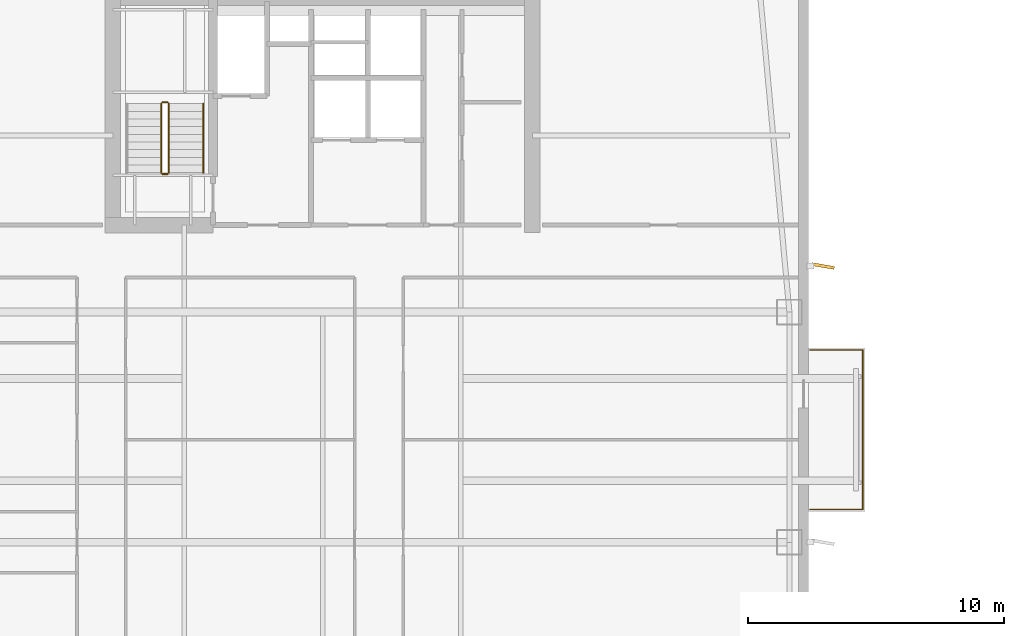
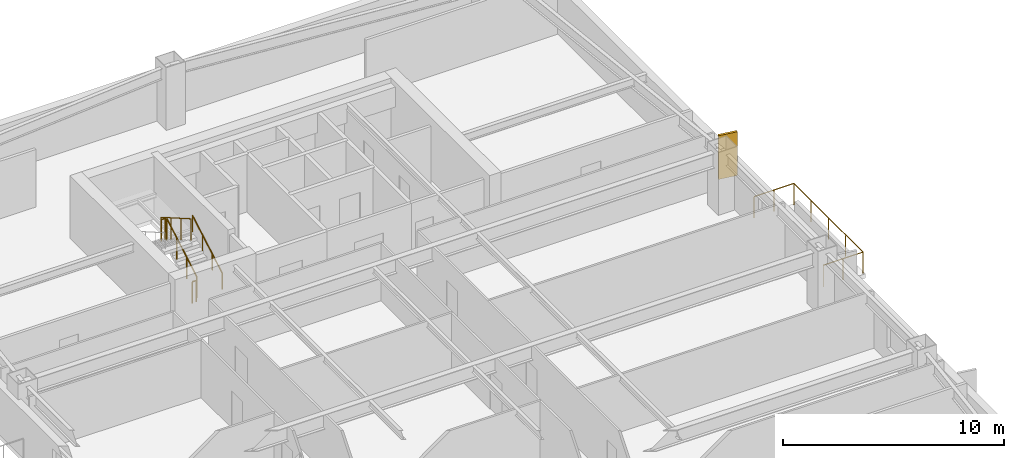
# One storey, part 15 of 17: 6 railings, 1 shading device.
"""IFC4 building model written with IfcOpenShell, lengths in metres."""

from ifc_helpers import new_model, si_unit, direction, frame, origin, origin_2d, place, context, subcontext, project, spatial, rectangle, circle, extrude, material, layer, layer_set, type_object, element, save


model = new_model("IFC4")

# Units and contexts
model_context = context("Model", 3, precision=1e-05, world=origin(), true_north=direction((0.0, 1.0)))
body_context = subcontext(model_context, "Body", "Model", "MODEL_VIEW")
ifc_project = project(units=[si_unit("LENGTHUNIT", "METRE"), si_unit("AREAUNIT", "SQUARE_METRE"), si_unit("VOLUMEUNIT", "CUBIC_METRE"), si_unit("PLANEANGLEUNIT", "RADIAN"), si_unit("MASSUNIT", "GRAM", prefix="KILO")], contexts=[model_context])

# Site, building, storey
site_placement = place(None, origin())
site = spatial("IfcSite", under=ifc_project, at=site_placement, CompositionType="ELEMENT")
building_placement = place(site_placement, origin())
building = spatial("IfcBuilding", under=site, at=building_placement, Name="Qiaolan Cultural Towers", CompositionType="ELEMENT")
storey_placement = place(building_placement, frame((0.0, 0.0, 142.60009765625)))
storey = spatial("IfcBuildingStorey", under=building, at=storey_placement, Name="L37", CompositionType="ELEMENT", Elevation=142.60009765625)

# Railings
ifc_material_1 = material(Name="Laminated SentryGlas & Stainless Steel S31608 Balustrade", Category="steel")
railing_type_1 = type_object("IfcRailingType", Name="GRD-TERR-1200", PredefinedType="BALUSTRADE", material=ifc_material_1)
railing_1_placement = place(storey_placement, frame((49.050048828125, 35.280029296875, 0.0)))
element("IfcRailing", 1, at=railing_1_placement, inside=storey, type_object=railing_type_1, Name="L37 T1 Tree Balcony Guardrail E", PredefinedType="BALUSTRADE", context=body_context, shape_type="SweptSolid", body=[
    extrude(circle(Radius=0.02392578125, at=origin_2d()), frame((0.0, 0.0, 1.17578125), z_axis=(1.0, 0.0, 0.0), x_axis=(0.0, 1.0, 0.0)), (0.0, 0.0, 1.0), 2.070068359375),
    extrude(circle(Radius=0.02392578125, at=origin_2d()), frame((2.070068359375, 0.0, 1.17578125), z_axis=(0.0, 1.0, 0.0), x_axis=(-1.0, 0.0, 0.0)), (0.0, 0.0, 1.0), 6.239990234375),
    extrude(circle(Radius=0.02392578125, at=origin_2d()), frame((2.070068359375, 6.239990234375, 1.17578125), z_axis=(-1.0, 0.0, 0.0), x_axis=(0.0, -1.0, 0.0)), (0.0, 0.0, 1.0), 2.070068359375),
    extrude(circle(Radius=0.02099609375, at=origin_2d()), origin(), (0.0, 0.0, 1.0), 1.15185546875),
    extrude(circle(Radius=0.02099609375, at=origin_2d()), frame((1.03515625, 0.0, 0.0)), (0.0, 0.0, 1.0), 1.15185546875),
    extrude(circle(Radius=0.02099609375, at=origin_2d()), frame((2.070068359375, 0.0, 0.0)), (0.0, 0.0, 1.0), 1.15185546875),
    extrude(circle(Radius=0.02099609375, at=origin_2d()), frame((2.070068359375, 1.56005859375, 0.0)), (0.0, 0.0, 1.0), 1.15185546875),
    extrude(circle(Radius=0.02099609375, at=origin_2d()), frame((2.070068359375, 3.1201171875, 0.0)), (0.0, 0.0, 1.0), 1.15185546875),
    extrude(circle(Radius=0.02099609375, at=origin_2d()), frame((2.070068359375, 4.679931640625, 0.0)), (0.0, 0.0, 1.0), 1.15185546875),
    extrude(circle(Radius=0.02099609375, at=origin_2d()), frame((2.070068359375, 6.239990234375, 0.0)), (0.0, 0.0, 1.0), 1.15185546875),
    extrude(circle(Radius=0.02099609375, at=origin_2d()), frame((1.03515625, 6.239990234375, 0.0)), (0.0, 0.0, 1.0), 1.15185546875),
    extrude(circle(Radius=0.02099609375, at=origin_2d()), frame((0.0, 6.239990234375, 0.0)), (0.0, 0.0, 1.0), 1.15185546875),
])
ifc_material_2 = material(Name="Galvanized Painted Steel Stair Guardrail", Category="steel")
railing_type_2 = type_object("IfcRailingType", Name="RL-STAIR-GRD", PredefinedType="GUARDRAIL", material=ifc_material_2)
railing_2_placement = place(storey_placement, frame((23.989990234375, 48.449951171875, 0.17236328125)))
element("IfcRailing", 2, at=railing_2_placement, inside=storey, type_object=railing_type_2, Name="L37 ST-W2 stair guard 1", PredefinedType="GUARDRAIL", context=body_context, shape_type="SweptSolid", body=[
    extrude(circle(Radius=0.02392578125, at=origin_2d()), frame((0.0, 0.0, 1.17578125), z_axis=(0.0, 0.866903762492, 0.498475542607), x_axis=(-1.0, 0.0, 0.0)), (0.0, 0.0, 1.0), 3.114501953125),
    extrude(circle(Radius=0.02099609375, at=origin_2d()), origin(), (0.0, 0.0, 1.0), 1.15185546875),
    extrude(circle(Radius=0.02099609375, at=origin_2d()), frame((0.0, 0.89990234375, 0.517578125)), (0.0, 0.0, 1.0), 1.15185546875),
    extrude(circle(Radius=0.02099609375, at=origin_2d()), frame((0.0, 1.800048828125, 1.034912109375)), (0.0, 0.0, 1.0), 1.15185546875),
    extrude(circle(Radius=0.02099609375, at=origin_2d()), frame((0.0, 2.699951171875, 1.552490234375)), (0.0, 0.0, 1.0), 1.15185546875),
])
railing_3_placement = place(storey_placement, frame((23.93994140625, 51.199951171875, 1.724853515625)))
element("IfcRailing", 3, at=railing_3_placement, inside=storey, type_object=railing_type_2, Name="L37 ST-W2 stair guard 2", PredefinedType="GUARDRAIL", context=body_context, shape_type="SweptSolid", body=[
    extrude(circle(Radius=0.02392578125, at=origin_2d()), frame((0.0, 0.0, 1.17578125), z_axis=(-1.0, 0.0, 0.0), x_axis=(0.0, -1.0, 0.0)), (0.0, 0.0, 1.0), 0.199951171875),
    extrude(circle(Radius=0.02099609375, at=origin_2d()), origin(), (0.0, 0.0, 1.0), 1.15185546875),
    extrude(circle(Radius=0.02099609375, at=origin_2d()), frame((-0.199951171875, 0.0, 0.0)), (0.0, 0.0, 1.0), 1.15185546875),
])
railing_4_placement = place(storey_placement, frame((23.68994140625, 51.14990234375, 1.8974609375)))
element("IfcRailing", 4, at=railing_4_placement, inside=storey, type_object=railing_type_2, Name="L37 ST-W2 stair guard 3", PredefinedType="GUARDRAIL", context=body_context, shape_type="SweptSolid", body=[
    extrude(circle(Radius=0.02392578125, at=origin_2d()), frame((0.0, 0.0, 1.17578125), z_axis=(0.0, -0.866903762492, 0.498475542607), x_axis=(1.0, 0.0, 0.0)), (0.0, 0.0, 1.0), 3.114501953125),
    extrude(circle(Radius=0.02099609375, at=origin_2d()), origin(), (0.0, 0.0, 1.0), 1.15185546875),
    extrude(circle(Radius=0.02099609375, at=origin_2d()), frame((0.0, -0.89990234375, 0.517578125)), (0.0, 0.0, 1.0), 1.15185546875),
    extrude(circle(Radius=0.02099609375, at=origin_2d()), frame((0.0, -1.800048828125, 1.034912109375)), (0.0, 0.0, 1.0), 1.15185546875),
    extrude(circle(Radius=0.02099609375, at=origin_2d()), frame((0.0, -2.699951171875, 1.552490234375)), (0.0, 0.0, 1.0), 1.15185546875),
])
railing_5_placement = place(storey_placement, frame((23.93994140625, 48.39990234375, 0.0)))
element("IfcRailing", 5, at=railing_5_placement, inside=storey, type_object=railing_type_2, Name="L37 ST-W2 stair guard 4", PredefinedType="GUARDRAIL", context=body_context, shape_type="SweptSolid", body=[
    extrude(circle(Radius=0.02392578125, at=origin_2d()), frame((0.0, 0.0, 1.17578125), z_axis=(-1.0, 0.0, 0.0), x_axis=(0.0, -1.0, 0.0)), (0.0, 0.0, 1.0), 0.199951171875),
    extrude(circle(Radius=0.02099609375, at=origin_2d()), origin(), (0.0, 0.0, 1.0), 1.15185546875),
    extrude(circle(Radius=0.02099609375, at=origin_2d()), frame((-0.199951171875, 0.0, 0.0)), (0.0, 0.0, 1.0), 1.15185546875),
])
ifc_material_3 = material(Name="Stainless Steel S30408 Tubular Handrail", Category="steel")
railing_type_3 = type_object("IfcRailingType", Name="RL-STAIR-HR", PredefinedType="HANDRAIL", material=ifc_material_3)
railing_6_placement = place(storey_placement, frame((25.330078125, 48.449951171875, 0.17236328125)))
element("IfcRailing", 6, at=railing_6_placement, inside=storey, type_object=railing_type_3, Name="L37 ST-W2 stair handrail 1", PredefinedType="HANDRAIL", context=body_context, shape_type="SweptSolid", body=[
    extrude(circle(Radius=0.02392578125, at=origin_2d()), frame((0.0, 0.0, 0.8759765625), z_axis=(0.0, 0.866903762492, 0.498475542607), x_axis=(-1.0, 0.0, 0.0)), (0.0, 0.0, 1.0), 3.114501953125),
    extrude(circle(Radius=0.02099609375, at=origin_2d()), origin(), (0.0, 0.0, 1.0), 0.851806640625),
    extrude(circle(Radius=0.02099609375, at=origin_2d()), frame((0.0, 0.89990234375, 0.517578125)), (0.0, 0.0, 1.0), 0.851806640625),
    extrude(circle(Radius=0.02099609375, at=origin_2d()), frame((0.0, 1.800048828125, 1.034912109375)), (0.0, 0.0, 1.0), 0.851806640625),
    extrude(circle(Radius=0.02099609375, at=origin_2d()), frame((0.0, 2.699951171875, 1.552490234375)), (0.0, 0.0, 1.0), 0.851806640625),
])

# Shading device
ifc_material_4 = material(Name="Pierced Warm Terracotta Acoustic Fin", Category="masonry")
ifc_layer = layer(ifc_material_4, 0.1201171875)
ifc_layer_set = layer_set([ifc_layer], Name="Pierced Warm Terracotta Acoustic Fin")
shading_device_type = type_object("IfcShadingDeviceType", Name="SHD-FIN-PIERCED", PredefinedType="USERDEFINED", material=ifc_layer_set)
shading_device_placement = place(storey_placement, frame((49.56005859375, 44.800048828125, 0.10009765625), z_axis=(0.0, 0.0, 1.0), x_axis=(0.98587406802, -0.167488274236, 0.0)))
element("IfcShadingDevice", 7, at=shading_device_placement, inside=storey, type_object=shading_device_type, Name="L37 T1 Expressive Precast Vertical Fin E3", ObjectType="FIN", PredefinedType="USERDEFINED", context=body_context, shape_type="SweptSolid", body=[
    extrude(rectangle(XDim=0.89990234375, YDim=0.1201171875, at=origin_2d()), origin(), (0.0, 0.0, 1.0), 2.409912109375),
])

save(model, "model.ifc")
